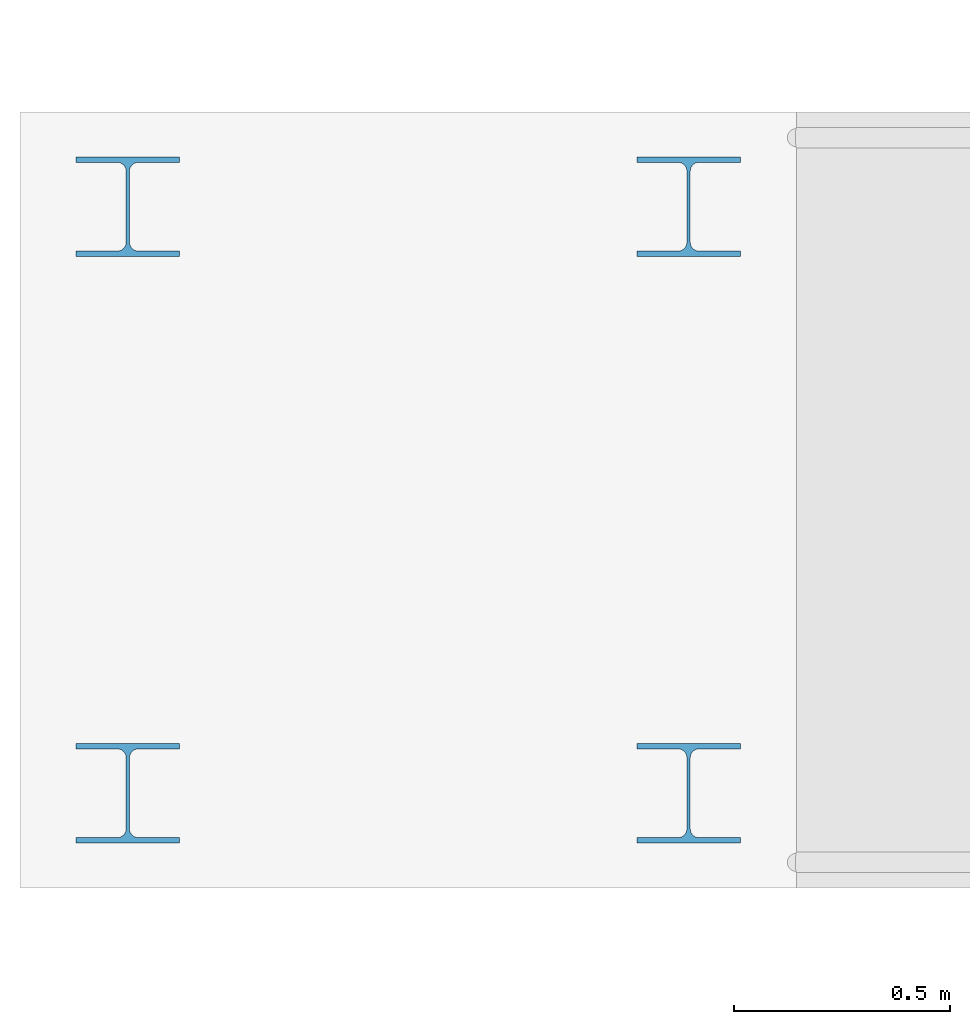
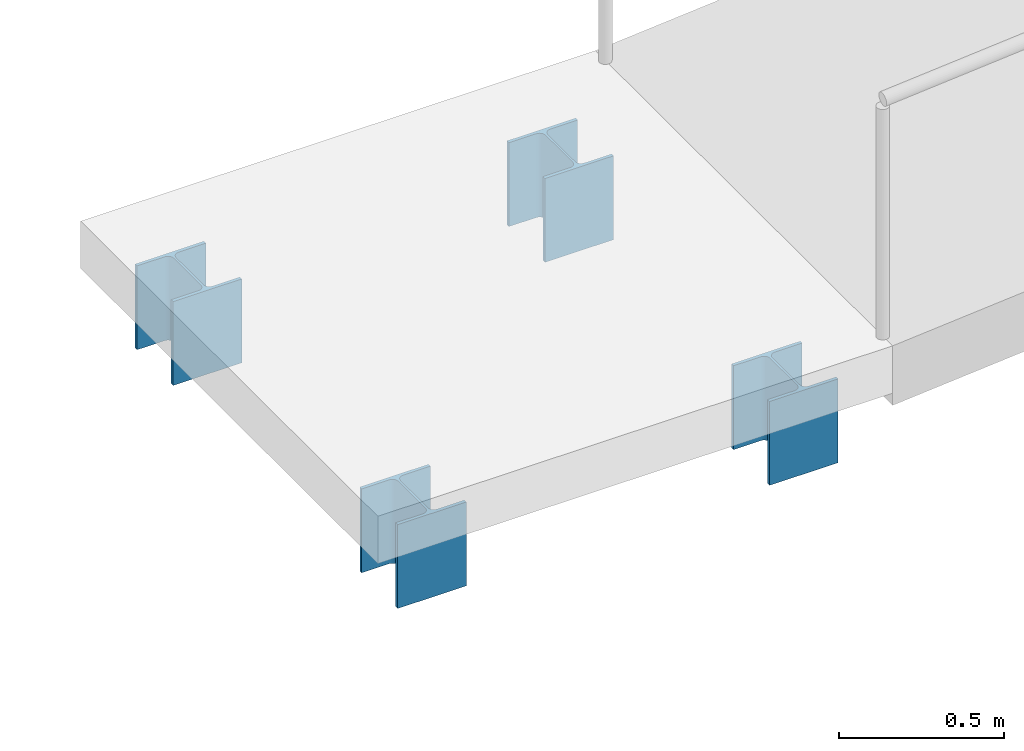
# One storey, part 43 of 86: 4 members.
"""IFC4 building model written with IfcOpenShell, lengths in metres."""

import ifcopenshell
import ifcopenshell.guid

model = None  # the IFC model being written
_history = None  # IfcOwnerHistory: only IFC2X3 demands one
_inside = {}  # id of a spatial element -> (the spatial element, [elements in it])
_under = {}  # id of a project, library or spatial element -> (it, [spatial elements below it])
_declared = {}  # id of a project -> (the project, [libraries it declares])
_typed = {}  # id of a type object -> (the type object, [elements of that type])
_made_of = {}  # id of a material, layer set ... -> (it, [elements and type objects made of it])


def new_model(schema):
    """Start an empty IFC model of exactly this schema.

    Asked for "IFC4X3", IfcOpenShell would pick the latest addendum, in which some entities
    have other attributes; the version numbers below select the first issue.
    IFC2X3 requires an IfcOwnerHistory on every rooted entity: one is made here for all.
    """
    global model, _history
    if schema == "IFC4X3":
        model = ifcopenshell.file(schema_version=(4, 3, 0, 0))
    else:
        model = ifcopenshell.file(schema=schema)
    _inside.clear()
    _under.clear()
    _declared.clear()
    _typed.clear()
    _made_of.clear()
    _history = None
    if model.schema == "IFC2X3":
        org = make("IfcOrganization", Name="unknown")
        user = make(
            "IfcPersonAndOrganization",
            ThePerson=make("IfcPerson", FamilyName="unknown"),
            TheOrganization=org,
        )
        app = make(
            "IfcApplication",
            ApplicationDeveloper=org,
            Version="unknown",
            ApplicationFullName="unknown",
            ApplicationIdentifier="unknown",
        )
        _history = make(
            "IfcOwnerHistory",
            OwningUser=user,
            OwningApplication=app,
            ChangeAction="ADDED",
            CreationDate=0,
        )
    return model


def make(cls, **values):
    """One entity of the class cls with the attributes given. An attribute that is None is left unset."""
    return model.create_entity(
        cls, **{name: value for name, value in values.items() if value is not None}
    )


def rooted(cls, **values):
    """An entity with a GlobalId (a new one), such as an element, a storey or a relation."""
    return make(cls, GlobalId=ifcopenshell.guid.new(), OwnerHistory=_history, **values)


def si_unit(unit_type, name, prefix=None):
    """IfcSIUnit, for example si_unit("LENGTHUNIT", "METRE", prefix="MILLI")."""
    return make("IfcSIUnit", UnitType=unit_type, Prefix=prefix, Name=name)


def assignment(units):
    """IfcUnitAssignment: the units of a project."""
    return None if units is None else make("IfcUnitAssignment", Units=units)


def point(xyz):
    """IfcCartesianPoint."""
    return None if xyz is None else make("IfcCartesianPoint", Coordinates=xyz)


def direction(xyz):
    """IfcDirection."""
    return None if xyz is None else make("IfcDirection", DirectionRatios=xyz)


def frame(location, z_axis=None, x_axis=None):
    """IfcAxis2Placement3D, a coordinate frame: its origin and axes. An axis left out is left unset."""
    return make(
        "IfcAxis2Placement3D",
        Location=point(location),
        Axis=direction(z_axis),
        RefDirection=direction(x_axis),
    )


def frame_2d(location, x_axis=None):
    """IfcAxis2Placement2D, a coordinate frame in the plane: its origin and x axis."""
    return make(
        "IfcAxis2Placement2D", Location=point(location), RefDirection=direction(x_axis)
    )


def origin():
    """The frame at (0, 0, 0) with its axes left unset."""
    return frame((0.0, 0.0, 0.0))


def origin_2d():
    """The frame at (0, 0) in the plane with its x axis left unset."""
    return frame_2d((0.0, 0.0))


def place(relative_to, where):
    """IfcLocalPlacement: puts the frame where relative to a parent placement (None: the world)."""
    return make(
        "IfcLocalPlacement", PlacementRelTo=relative_to, RelativePlacement=where
    )


def context(
    kind, dimensions, precision=None, world=None, true_north=None, identifier=None
):
    """IfcGeometricRepresentationContext, for example the 3D "Model" context."""
    return make(
        "IfcGeometricRepresentationContext",
        ContextIdentifier=identifier,
        ContextType=kind,
        CoordinateSpaceDimension=dimensions,
        Precision=precision,
        WorldCoordinateSystem=world,
        TrueNorth=true_north,
    )


def subcontext(parent, identifier, kind, view, scale=None):
    """IfcGeometricRepresentationSubContext, for example "Body" below "Model"."""
    return make(
        "IfcGeometricRepresentationSubContext",
        ContextIdentifier=identifier,
        ContextType=kind,
        ParentContext=parent,
        TargetScale=scale,
        TargetView=view,
    )


def project(units=None, contexts=None):
    """IfcProject with its units and contexts."""
    return rooted(
        "IfcProject",
        Name="project",
        RepresentationContexts=contexts,
        UnitsInContext=assignment(units),
    )


def spatial(cls, under=None, at=None, **own):
    """A site, building, storey or space (cls), placed at a placement, below another one or the project."""
    s = rooted(cls, ObjectPlacement=at, **own)
    if under is not None:
        _under.setdefault(under.id(), (under, []))[1].append(s)
    return s


def profile(cls, at=None, kind="AREA", **sizes):
    """A parametric profile (cls). Its sizes go by their IFC names, for example OverallWidth=200.0."""
    return make(cls, ProfileType=kind, Position=at, **sizes)


def i_section(**sizes):
    """IfcIShapeProfileDef."""
    return profile("IfcIShapeProfileDef", **sizes)


def extrude(swept, where, along, depth):
    """IfcExtrudedAreaSolid: the profile swept, set in the frame where, extruded along a direction by depth."""
    return make(
        "IfcExtrudedAreaSolid",
        SweptArea=swept,
        Position=where,
        ExtrudedDirection=direction(along),
        Depth=depth,
    )


def shape(context_of_items, identifier, shape_type, items):
    """IfcShapeRepresentation: the items that make up one representation, for example the "Body"."""
    return make(
        "IfcShapeRepresentation",
        ContextOfItems=context_of_items,
        RepresentationIdentifier=identifier,
        RepresentationType=shape_type,
        Items=items,
    )


def material(Name=None, Category=None):
    """IfcMaterial."""
    return make("IfcMaterial", Name=Name, Category=Category)


def material_profile(
    of_material, cross_section, Name=None, Category=None, Priority=None
):
    """IfcMaterialProfile: a cross section and its material."""
    return make(
        "IfcMaterialProfile",
        Name=Name,
        Material=of_material,
        Profile=cross_section,
        Priority=Priority,
        Category=Category,
    )


def profile_set(profiles, Name=None, composite=None):
    """IfcMaterialProfileSet."""
    return make(
        "IfcMaterialProfileSet",
        Name=Name,
        MaterialProfiles=profiles,
        CompositeProfile=composite,
    )


def made_of(thing, what):
    """Note that an element or type object is made of a material, layer set ...; save() writes the relation."""
    if what is not None:
        _made_of.setdefault(what.id(), (what, []))[1].append(thing)
    return thing


def type_object(cls, material=None, **own):
    """A type object (cls), such as IfcWallType, which elements share."""
    return made_of(rooted(cls, **own), material)


def element(
    cls,
    number,
    at=None,
    inside=None,
    cuts=None,
    type_object=None,
    material=None,
    context=None,
    identifier="Body",
    shape_type=None,
    held_by="IfcProductDefinitionShape",
    body=None,
    shapes=None,
    **own,
):
    """One element of the class cls, such as IfcWall. Its Tag is "e" and its number.

    at: its placement. inside: the storey or other place that contains it. cuts: it is an
    opening in that element (IfcRelVoidsElement). A single representation is given by context,
    identifier, shape_type and body (its items); several are given by shapes. held_by: the class
    of the entity that holds the representations. save() writes the other relations.
    """
    e = rooted(cls, Tag="e%d" % number, ObjectPlacement=at, **own)
    if body is not None:
        shapes = [shape(context, identifier, shape_type, body)]
    if shapes is not None:
        e.Representation = make(held_by, Representations=shapes)
    if inside is not None:
        _inside.setdefault(inside.id(), (inside, []))[1].append(e)
    if cuts is not None:
        rooted(
            "IfcRelVoidsElement", RelatingBuildingElement=cuts, RelatedOpeningElement=e
        )
    if type_object is not None:
        _typed.setdefault(type_object.id(), (type_object, []))[1].append(e)
    return made_of(e, material)


def aggregate(whole, parts):
    """IfcRelAggregates: a whole, such as a stair, and the parts it consists of."""
    return rooted("IfcRelAggregates", RelatingObject=whole, RelatedObjects=parts)


def save(model, path):
    """Write the relations noted so far, then the file.

    IfcRelAggregates (storeys below a building ...), IfcRelContainedInSpatialStructure (elements
    in a storey), IfcRelDefinesByType, IfcRelAssociatesMaterial and IfcRelDeclares: one each for
    every whole, place, type object, material and project.
    """
    for whole, parts in _under.values():
        aggregate(whole, parts)
    for where, things in _inside.values():
        rooted(
            "IfcRelContainedInSpatialStructure",
            RelatedElements=things,
            RelatingStructure=where,
        )
    for kind, things in _typed.values():
        rooted("IfcRelDefinesByType", RelatedObjects=things, RelatingType=kind)
    for what, things in _made_of.values():
        rooted("IfcRelAssociatesMaterial", RelatedObjects=things, RelatingMaterial=what)
    for by, libraries in _declared.values():
        rooted("IfcRelDeclares", RelatingContext=by, RelatedDefinitions=libraries)
    model.write(path)


model = new_model("IFC4")

# Units and contexts
model_context = context("Model", 3, precision=1e-05, world=origin(), true_north=direction((0.0, 1.0)))
body_context = subcontext(model_context, "Body", "Model", "MODEL_VIEW")
ifc_project = project(units=[si_unit("LENGTHUNIT", "METRE"), si_unit("AREAUNIT", "SQUARE_METRE"), si_unit("VOLUMEUNIT", "CUBIC_METRE"), si_unit("PLANEANGLEUNIT", "RADIAN"), si_unit("MASSUNIT", "GRAM", prefix="KILO")], contexts=[model_context])

# Site, building, storey
site_placement = place(None, origin())
site = spatial("IfcSite", under=ifc_project, at=site_placement, CompositionType="ELEMENT")
building_placement = place(site_placement, origin())
building = spatial("IfcBuilding", under=site, at=building_placement, Name="Kenh Van Central Station", CompositionType="ELEMENT")
storey_placement = place(building_placement, origin())
storey = spatial("IfcBuildingStorey", under=building, at=storey_placement, Name="L00", CompositionType="ELEMENT", Elevation=0.0)

# Members
ifc_material = material(Name="Steel S355", Category="steel")
ifc_material_profile = material_profile(ifc_material, i_section(OverallWidth=0.239990234375, OverallDepth=0.22998046875, WebThickness=0.007568359375, FlangeThickness=0.011962890625, FilletRadius=0.02099609375, at=origin_2d()), Name="HEA 240")
ifc_profile_set = profile_set([ifc_material_profile], Name="Steel S355")
member_type = type_object("IfcMemberType", Name="MEM-ROOF-POST240", PredefinedType="POST", material=ifc_profile_set)
for number, where, z_axis, x_axis, name in (
    (1, (-5.050048828125, 51.320068359375, -0.85009765625), (0.0, 0.0, 1.0), (1.0, 0.0, 0.0), "West Street Arcade North Accessible Ramp landing support post 11"),
    (2, (-5.050048828125, 52.679931640625, -0.85009765625), (0.0, 0.0, 1.0), (1.0, 0.0, 0.0), "West Street Arcade North Accessible Ramp landing support post 12"),
    (3, (-6.35009765625, 51.320068359375, -0.85009765625), (0.0, 0.0, 1.0), (1.0, 0.0, 0.0), "West Street Arcade North Accessible Ramp landing support post 21"),
    (4, (-6.35009765625, 52.679931640625, -0.85009765625), (0.0, 0.0, 1.0), (1.0, 0.0, 0.0), "West Street Arcade North Accessible Ramp landing support post 22"),
):
    element("IfcMember", number, at=place(storey_placement, frame(where, z_axis=z_axis, x_axis=x_axis)), inside=storey, type_object=member_type, Name=name, PredefinedType="POST", context=body_context, shape_type="SweptSolid", body=[
        extrude(i_section(OverallWidth=0.239990234375, OverallDepth=0.22998046875, WebThickness=0.007568359375, FlangeThickness=0.011962890625, FilletRadius=0.02099609375, at=origin_2d()), origin(), (0.0, 0.0, 1.0), 0.31005859375),
    ])

save(model, "model.ifc")
